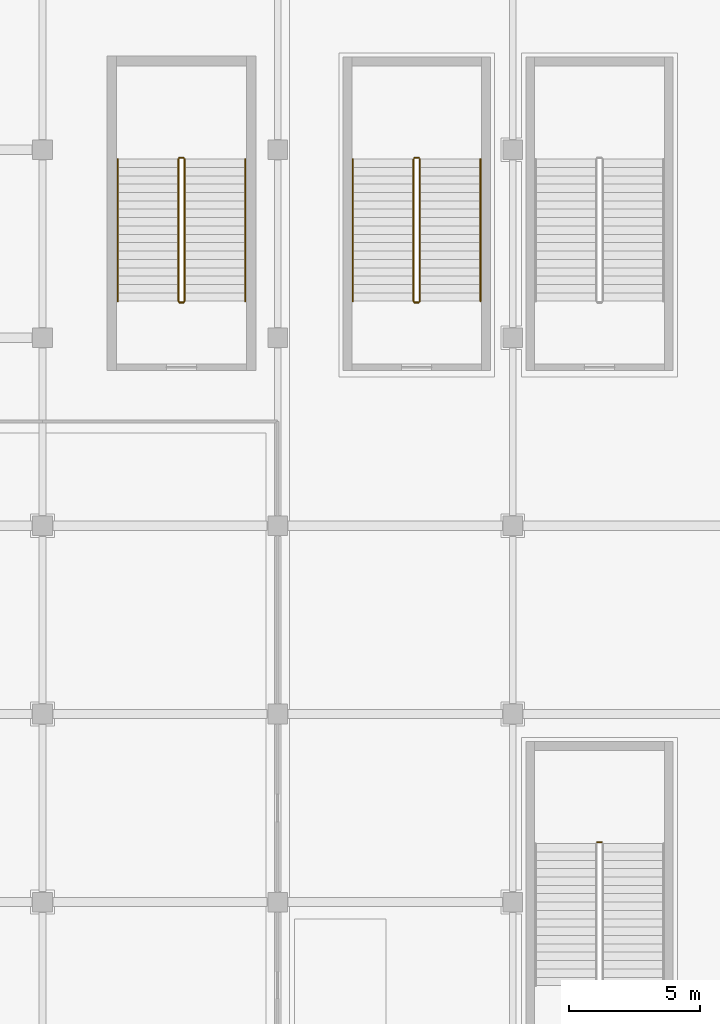
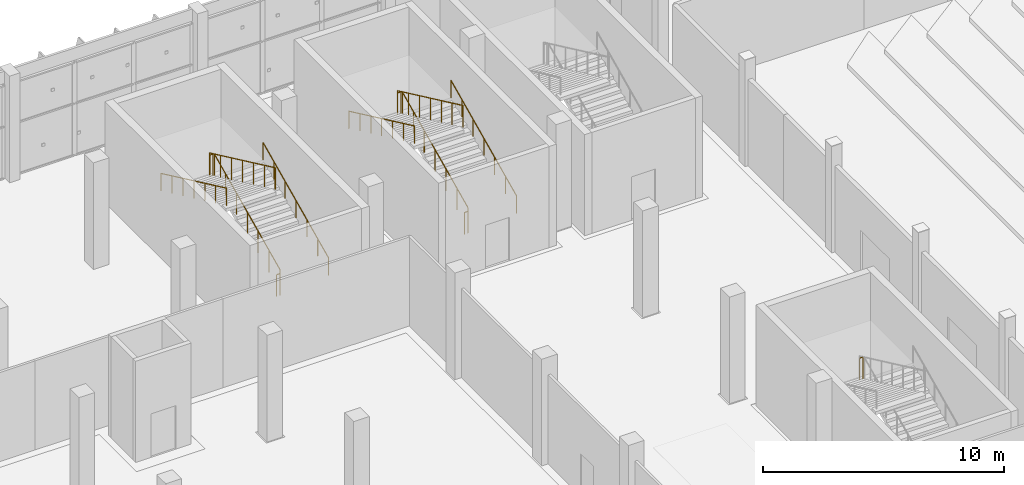
# One storey, part 184 of 189: 13 railings.
"""IFC4 building model written with IfcOpenShell, lengths in metres."""

import ifcopenshell
import ifcopenshell.guid

model = None  # the IFC model being written
_history = None  # IfcOwnerHistory: only IFC2X3 demands one
_inside = {}  # id of a spatial element -> (the spatial element, [elements in it])
_under = {}  # id of a project, library or spatial element -> (it, [spatial elements below it])
_declared = {}  # id of a project -> (the project, [libraries it declares])
_typed = {}  # id of a type object -> (the type object, [elements of that type])
_made_of = {}  # id of a material, layer set ... -> (it, [elements and type objects made of it])


def new_model(schema):
    """Start an empty IFC model of exactly this schema.

    Asked for "IFC4X3", IfcOpenShell would pick the latest addendum, in which some entities
    have other attributes; the version numbers below select the first issue.
    IFC2X3 requires an IfcOwnerHistory on every rooted entity: one is made here for all.
    """
    global model, _history
    if schema == "IFC4X3":
        model = ifcopenshell.file(schema_version=(4, 3, 0, 0))
    else:
        model = ifcopenshell.file(schema=schema)
    _inside.clear()
    _under.clear()
    _declared.clear()
    _typed.clear()
    _made_of.clear()
    _history = None
    if model.schema == "IFC2X3":
        org = make("IfcOrganization", Name="unknown")
        user = make(
            "IfcPersonAndOrganization",
            ThePerson=make("IfcPerson", FamilyName="unknown"),
            TheOrganization=org,
        )
        app = make(
            "IfcApplication",
            ApplicationDeveloper=org,
            Version="unknown",
            ApplicationFullName="unknown",
            ApplicationIdentifier="unknown",
        )
        _history = make(
            "IfcOwnerHistory",
            OwningUser=user,
            OwningApplication=app,
            ChangeAction="ADDED",
            CreationDate=0,
        )
    return model


def make(cls, **values):
    """One entity of the class cls with the attributes given. An attribute that is None is left unset."""
    return model.create_entity(
        cls, **{name: value for name, value in values.items() if value is not None}
    )


def rooted(cls, **values):
    """An entity with a GlobalId (a new one), such as an element, a storey or a relation."""
    return make(cls, GlobalId=ifcopenshell.guid.new(), OwnerHistory=_history, **values)


def si_unit(unit_type, name, prefix=None):
    """IfcSIUnit, for example si_unit("LENGTHUNIT", "METRE", prefix="MILLI")."""
    return make("IfcSIUnit", UnitType=unit_type, Prefix=prefix, Name=name)


def assignment(units):
    """IfcUnitAssignment: the units of a project."""
    return None if units is None else make("IfcUnitAssignment", Units=units)


def point(xyz):
    """IfcCartesianPoint."""
    return None if xyz is None else make("IfcCartesianPoint", Coordinates=xyz)


def direction(xyz):
    """IfcDirection."""
    return None if xyz is None else make("IfcDirection", DirectionRatios=xyz)


def frame(location, z_axis=None, x_axis=None):
    """IfcAxis2Placement3D, a coordinate frame: its origin and axes. An axis left out is left unset."""
    return make(
        "IfcAxis2Placement3D",
        Location=point(location),
        Axis=direction(z_axis),
        RefDirection=direction(x_axis),
    )


def frame_2d(location, x_axis=None):
    """IfcAxis2Placement2D, a coordinate frame in the plane: its origin and x axis."""
    return make(
        "IfcAxis2Placement2D", Location=point(location), RefDirection=direction(x_axis)
    )


def origin():
    """The frame at (0, 0, 0) with its axes left unset."""
    return frame((0.0, 0.0, 0.0))


def origin_2d():
    """The frame at (0, 0) in the plane with its x axis left unset."""
    return frame_2d((0.0, 0.0))


def place(relative_to, where):
    """IfcLocalPlacement: puts the frame where relative to a parent placement (None: the world)."""
    return make(
        "IfcLocalPlacement", PlacementRelTo=relative_to, RelativePlacement=where
    )


def context(
    kind, dimensions, precision=None, world=None, true_north=None, identifier=None
):
    """IfcGeometricRepresentationContext, for example the 3D "Model" context."""
    return make(
        "IfcGeometricRepresentationContext",
        ContextIdentifier=identifier,
        ContextType=kind,
        CoordinateSpaceDimension=dimensions,
        Precision=precision,
        WorldCoordinateSystem=world,
        TrueNorth=true_north,
    )


def subcontext(parent, identifier, kind, view, scale=None):
    """IfcGeometricRepresentationSubContext, for example "Body" below "Model"."""
    return make(
        "IfcGeometricRepresentationSubContext",
        ContextIdentifier=identifier,
        ContextType=kind,
        ParentContext=parent,
        TargetScale=scale,
        TargetView=view,
    )


def project(units=None, contexts=None):
    """IfcProject with its units and contexts."""
    return rooted(
        "IfcProject",
        Name="project",
        RepresentationContexts=contexts,
        UnitsInContext=assignment(units),
    )


def spatial(cls, under=None, at=None, **own):
    """A site, building, storey or space (cls), placed at a placement, below another one or the project."""
    s = rooted(cls, ObjectPlacement=at, **own)
    if under is not None:
        _under.setdefault(under.id(), (under, []))[1].append(s)
    return s


def profile(cls, at=None, kind="AREA", **sizes):
    """A parametric profile (cls). Its sizes go by their IFC names, for example OverallWidth=200.0."""
    return make(cls, ProfileType=kind, Position=at, **sizes)


def circle(**sizes):
    """IfcCircleProfileDef."""
    return profile("IfcCircleProfileDef", **sizes)


def extrude(swept, where, along, depth):
    """IfcExtrudedAreaSolid: the profile swept, set in the frame where, extruded along a direction by depth."""
    return make(
        "IfcExtrudedAreaSolid",
        SweptArea=swept,
        Position=where,
        ExtrudedDirection=direction(along),
        Depth=depth,
    )


def shape(context_of_items, identifier, shape_type, items):
    """IfcShapeRepresentation: the items that make up one representation, for example the "Body"."""
    return make(
        "IfcShapeRepresentation",
        ContextOfItems=context_of_items,
        RepresentationIdentifier=identifier,
        RepresentationType=shape_type,
        Items=items,
    )


def material(Name=None, Category=None):
    """IfcMaterial."""
    return make("IfcMaterial", Name=Name, Category=Category)


def layer(
    of_material, thickness, ventilated=None, Name=None, Category=None, Priority=None
):
    """IfcMaterialLayer: one layer of a wall or slab, of a material (None: an air gap)."""
    return make(
        "IfcMaterialLayer",
        Material=of_material,
        LayerThickness=thickness,
        IsVentilated=ventilated,
        Name=Name,
        Category=Category,
        Priority=Priority,
    )


def layer_set(layers, Name=None):
    """IfcMaterialLayerSet."""
    return make("IfcMaterialLayerSet", MaterialLayers=layers, LayerSetName=Name)


def made_of(thing, what):
    """Note that an element or type object is made of a material, layer set ...; save() writes the relation."""
    if what is not None:
        _made_of.setdefault(what.id(), (what, []))[1].append(thing)
    return thing


def type_object(cls, material=None, **own):
    """A type object (cls), such as IfcWallType, which elements share."""
    return made_of(rooted(cls, **own), material)


def element(
    cls,
    number,
    at=None,
    inside=None,
    cuts=None,
    type_object=None,
    material=None,
    context=None,
    identifier="Body",
    shape_type=None,
    held_by="IfcProductDefinitionShape",
    body=None,
    shapes=None,
    **own,
):
    """One element of the class cls, such as IfcWall. Its Tag is "e" and its number.

    at: its placement. inside: the storey or other place that contains it. cuts: it is an
    opening in that element (IfcRelVoidsElement). A single representation is given by context,
    identifier, shape_type and body (its items); several are given by shapes. held_by: the class
    of the entity that holds the representations. save() writes the other relations.
    """
    e = rooted(cls, Tag="e%d" % number, ObjectPlacement=at, **own)
    if body is not None:
        shapes = [shape(context, identifier, shape_type, body)]
    if shapes is not None:
        e.Representation = make(held_by, Representations=shapes)
    if inside is not None:
        _inside.setdefault(inside.id(), (inside, []))[1].append(e)
    if cuts is not None:
        rooted(
            "IfcRelVoidsElement", RelatingBuildingElement=cuts, RelatedOpeningElement=e
        )
    if type_object is not None:
        _typed.setdefault(type_object.id(), (type_object, []))[1].append(e)
    return made_of(e, material)


def aggregate(whole, parts):
    """IfcRelAggregates: a whole, such as a stair, and the parts it consists of."""
    return rooted("IfcRelAggregates", RelatingObject=whole, RelatedObjects=parts)


def save(model, path):
    """Write the relations noted so far, then the file.

    IfcRelAggregates (storeys below a building ...), IfcRelContainedInSpatialStructure (elements
    in a storey), IfcRelDefinesByType, IfcRelAssociatesMaterial and IfcRelDeclares: one each for
    every whole, place, type object, material and project.
    """
    for whole, parts in _under.values():
        aggregate(whole, parts)
    for where, things in _inside.values():
        rooted(
            "IfcRelContainedInSpatialStructure",
            RelatedElements=things,
            RelatingStructure=where,
        )
    for kind, things in _typed.values():
        rooted("IfcRelDefinesByType", RelatedObjects=things, RelatingType=kind)
    for what, things in _made_of.values():
        rooted("IfcRelAssociatesMaterial", RelatedObjects=things, RelatingMaterial=what)
    for by, libraries in _declared.values():
        rooted("IfcRelDeclares", RelatingContext=by, RelatedDefinitions=libraries)
    model.write(path)


model = new_model("IFC4")

# Units and contexts
model_context = context("Model", 3, precision=1e-05, world=origin(), true_north=direction((0.0, 1.0)))
body_context = subcontext(model_context, "Body", "Model", "MODEL_VIEW")
ifc_project = project(units=[si_unit("LENGTHUNIT", "METRE"), si_unit("AREAUNIT", "SQUARE_METRE"), si_unit("VOLUMEUNIT", "CUBIC_METRE"), si_unit("PLANEANGLEUNIT", "RADIAN"), si_unit("MASSUNIT", "GRAM", prefix="KILO")], contexts=[model_context])

# Site, building, storey
site_placement = place(None, origin())
site = spatial("IfcSite", under=ifc_project, at=site_placement, CompositionType="ELEMENT")
building_placement = place(site_placement, origin())
building = spatial("IfcBuilding", under=site, at=building_placement, Name="Celestram Park Convention Centre", CompositionType="ELEMENT")
storey_placement = place(building_placement, frame((0.0, 0.0, 5.39990234375)))
storey = spatial("IfcBuildingStorey", under=building, at=storey_placement, Name="L01", CompositionType="ELEMENT", Elevation=5.39990234375)

# Railings
ifc_material_1 = material(Name="Stainless Steel AISI 316L & Laminated Glass", Category="steel")
ifc_layer_1 = layer(ifc_material_1, 0.06005859375)
ifc_layer_set_1 = layer_set([ifc_layer_1], Name="Stainless Steel AISI 316L & Laminated Glass")
railing_type_1 = type_object("IfcRailingType", Name="ARC-RL-GRD1120", PredefinedType="GUARDRAIL", material=ifc_layer_set_1)
railing_1_placement = place(storey_placement, frame((131.43603515625, 152.60009765625, 0.150146484375)))
element("IfcRailing", 1, at=railing_1_placement, inside=storey, type_object=railing_type_1, Name="L01 ST-05 stair guard 1", PredefinedType="GUARDRAIL", context=body_context, shape_type="SweptSolid", body=[
    extrude(circle(Radius=0.02392578125, at=origin_2d()), frame((0.0, 0.0, 1.09619140625), z_axis=(0.0, 0.90545405566, 0.424444287379), x_axis=(-1.0, 0.0, 0.0)), (0.0, 0.0, 1.0), 6.008056640625),
    extrude(circle(Radius=0.02099609375, at=origin_2d()), origin(), (0.0, 0.0, 1.0), 1.072021484375),
    extrude(circle(Radius=0.02099609375, at=origin_2d()), frame((0.0, 0.90673828125, 0.425048828125)), (0.0, 0.0, 1.0), 1.072021484375),
    extrude(circle(Radius=0.02099609375, at=origin_2d()), frame((0.0, 1.813232421875, 0.85009765625)), (0.0, 0.0, 1.0), 1.072021484375),
    extrude(circle(Radius=0.02099609375, at=origin_2d()), frame((0.0, 2.719970703125, 1.27490234375)), (0.0, 0.0, 1.0), 1.072021484375),
    extrude(circle(Radius=0.02099609375, at=origin_2d()), frame((0.0, 3.626708984375, 1.699951171875)), (0.0, 0.0, 1.0), 1.072021484375),
    extrude(circle(Radius=0.02099609375, at=origin_2d()), frame((0.0, 4.533203125, 2.125)), (0.0, 0.0, 1.0), 1.072021484375),
    extrude(circle(Radius=0.02099609375, at=origin_2d()), frame((0.0, 5.43994140625, 2.550048828125)), (0.0, 0.0, 1.0), 1.072021484375),
])
railing_2_placement = place(storey_placement, frame((131.39990234375, 158.090087890625, 2.7001953125)))
element("IfcRailing", 2, at=railing_2_placement, inside=storey, type_object=railing_type_1, Name="L01 ST-05 stair guard 2", PredefinedType="GUARDRAIL", context=body_context, shape_type="SweptSolid", body=[
    extrude(circle(Radius=0.02392578125, at=origin_2d()), frame((0.0, 0.0, 1.09619140625), z_axis=(-1.0, 0.0, 0.0), x_axis=(0.0, -1.0, 0.0)), (0.0, 0.0, 1.0), 0.159912109375),
    extrude(circle(Radius=0.02099609375, at=origin_2d()), origin(), (0.0, 0.0, 1.0), 1.072021484375),
    extrude(circle(Radius=0.02099609375, at=origin_2d()), frame((-0.159912109375, 0.0, 0.0)), (0.0, 0.0, 1.0), 1.072021484375),
])
railing_3_placement = place(storey_placement, frame((131.2041015625, 158.0400390625, 2.85009765625)))
element("IfcRailing", 3, at=railing_3_placement, inside=storey, type_object=railing_type_1, Name="L01 ST-05 stair guard 3", PredefinedType="GUARDRAIL", context=body_context, shape_type="SweptSolid", body=[
    extrude(circle(Radius=0.02392578125, at=origin_2d()), frame((0.0, 0.0, 1.09619140625), z_axis=(0.0, -0.90545405566, 0.424444287379), x_axis=(1.0, 0.0, 0.0)), (0.0, 0.0, 1.0), 6.008056640625),
    extrude(circle(Radius=0.02099609375, at=origin_2d()), origin(), (0.0, 0.0, 1.0), 1.072021484375),
    extrude(circle(Radius=0.02099609375, at=origin_2d()), frame((0.0, -0.90673828125, 0.425048828125)), (0.0, 0.0, 1.0), 1.072021484375),
    extrude(circle(Radius=0.02099609375, at=origin_2d()), frame((0.0, -1.813232421875, 0.85009765625)), (0.0, 0.0, 1.0), 1.072021484375),
    extrude(circle(Radius=0.02099609375, at=origin_2d()), frame((0.0, -2.719970703125, 1.27490234375)), (0.0, 0.0, 1.0), 1.072021484375),
    extrude(circle(Radius=0.02099609375, at=origin_2d()), frame((0.0, -3.626708984375, 1.699951171875)), (0.0, 0.0, 1.0), 1.072021484375),
    extrude(circle(Radius=0.02099609375, at=origin_2d()), frame((0.0, -4.533203125, 2.125)), (0.0, 0.0, 1.0), 1.072021484375),
    extrude(circle(Radius=0.02099609375, at=origin_2d()), frame((0.0, -5.43994140625, 2.550048828125)), (0.0, 0.0, 1.0), 1.072021484375),
])
for number, where, name in (
    (4, (131.39990234375, 152.550048828125, 0.0), "L01 ST-05 stair guard 4"),
    (5, (147.39990234375, 131.889892578125, 2.7001953125), "L01 ST-10 stair guard 2"),
):
    element("IfcRailing", number, at=place(storey_placement, frame(where)), inside=storey, type_object=railing_type_1, Name=name, PredefinedType="GUARDRAIL", context=body_context, shape_type="SweptSolid", body=[
        extrude(circle(Radius=0.02392578125, at=origin_2d()), frame((0.0, 0.0, 1.09619140625), z_axis=(-1.0, 0.0, 0.0), x_axis=(0.0, -1.0, 0.0)), (0.0, 0.0, 1.0), 0.159912109375),
        extrude(circle(Radius=0.02099609375, at=origin_2d()), origin(), (0.0, 0.0, 1.0), 1.072021484375),
        extrude(circle(Radius=0.02099609375, at=origin_2d()), frame((-0.159912109375, 0.0, 0.0)), (0.0, 0.0, 1.0), 1.072021484375),
    ])
railing_4_placement = place(storey_placement, frame((140.43603515625, 152.60009765625, 0.150146484375)))
element("IfcRailing", 6, at=railing_4_placement, inside=storey, type_object=railing_type_1, Name="L01 ST-22 stair guard 1", PredefinedType="GUARDRAIL", context=body_context, shape_type="SweptSolid", body=[
    extrude(circle(Radius=0.02392578125, at=origin_2d()), frame((0.0, 0.0, 1.09619140625), z_axis=(0.0, 0.90545405566, 0.424444287379), x_axis=(-1.0, 0.0, 0.0)), (0.0, 0.0, 1.0), 6.008056640625),
    extrude(circle(Radius=0.02099609375, at=origin_2d()), origin(), (0.0, 0.0, 1.0), 1.072021484375),
    extrude(circle(Radius=0.02099609375, at=origin_2d()), frame((0.0, 0.90673828125, 0.425048828125)), (0.0, 0.0, 1.0), 1.072021484375),
    extrude(circle(Radius=0.02099609375, at=origin_2d()), frame((0.0, 1.813232421875, 0.85009765625)), (0.0, 0.0, 1.0), 1.072021484375),
    extrude(circle(Radius=0.02099609375, at=origin_2d()), frame((0.0, 2.719970703125, 1.27490234375)), (0.0, 0.0, 1.0), 1.072021484375),
    extrude(circle(Radius=0.02099609375, at=origin_2d()), frame((0.0, 3.626708984375, 1.699951171875)), (0.0, 0.0, 1.0), 1.072021484375),
    extrude(circle(Radius=0.02099609375, at=origin_2d()), frame((0.0, 4.533203125, 2.125)), (0.0, 0.0, 1.0), 1.072021484375),
    extrude(circle(Radius=0.02099609375, at=origin_2d()), frame((0.0, 5.43994140625, 2.550048828125)), (0.0, 0.0, 1.0), 1.072021484375),
])
railing_5_placement = place(storey_placement, frame((140.39990234375, 158.090087890625, 2.7001953125)))
element("IfcRailing", 7, at=railing_5_placement, inside=storey, type_object=railing_type_1, Name="L01 ST-22 stair guard 2", PredefinedType="GUARDRAIL", context=body_context, shape_type="SweptSolid", body=[
    extrude(circle(Radius=0.02392578125, at=origin_2d()), frame((0.0, 0.0, 1.09619140625), z_axis=(-1.0, 0.0, 0.0), x_axis=(0.0, -1.0, 0.0)), (0.0, 0.0, 1.0), 0.159912109375),
    extrude(circle(Radius=0.02099609375, at=origin_2d()), origin(), (0.0, 0.0, 1.0), 1.072021484375),
    extrude(circle(Radius=0.02099609375, at=origin_2d()), frame((-0.159912109375, 0.0, 0.0)), (0.0, 0.0, 1.0), 1.072021484375),
])
railing_6_placement = place(storey_placement, frame((140.2041015625, 158.0400390625, 2.85009765625)))
element("IfcRailing", 8, at=railing_6_placement, inside=storey, type_object=railing_type_1, Name="L01 ST-22 stair guard 3", PredefinedType="GUARDRAIL", context=body_context, shape_type="SweptSolid", body=[
    extrude(circle(Radius=0.02392578125, at=origin_2d()), frame((0.0, 0.0, 1.09619140625), z_axis=(0.0, -0.90545405566, 0.424444287379), x_axis=(1.0, 0.0, 0.0)), (0.0, 0.0, 1.0), 6.008056640625),
    extrude(circle(Radius=0.02099609375, at=origin_2d()), origin(), (0.0, 0.0, 1.0), 1.072021484375),
    extrude(circle(Radius=0.02099609375, at=origin_2d()), frame((0.0, -0.90673828125, 0.425048828125)), (0.0, 0.0, 1.0), 1.072021484375),
    extrude(circle(Radius=0.02099609375, at=origin_2d()), frame((0.0, -1.813232421875, 0.85009765625)), (0.0, 0.0, 1.0), 1.072021484375),
    extrude(circle(Radius=0.02099609375, at=origin_2d()), frame((0.0, -2.719970703125, 1.27490234375)), (0.0, 0.0, 1.0), 1.072021484375),
    extrude(circle(Radius=0.02099609375, at=origin_2d()), frame((0.0, -3.626708984375, 1.699951171875)), (0.0, 0.0, 1.0), 1.072021484375),
    extrude(circle(Radius=0.02099609375, at=origin_2d()), frame((0.0, -4.533203125, 2.125)), (0.0, 0.0, 1.0), 1.072021484375),
    extrude(circle(Radius=0.02099609375, at=origin_2d()), frame((0.0, -5.43994140625, 2.550048828125)), (0.0, 0.0, 1.0), 1.072021484375),
])
railing_7_placement = place(storey_placement, frame((140.39990234375, 152.550048828125, 0.0)))
element("IfcRailing", 9, at=railing_7_placement, inside=storey, type_object=railing_type_1, Name="L01 ST-22 stair guard 4", PredefinedType="GUARDRAIL", context=body_context, shape_type="SweptSolid", body=[
    extrude(circle(Radius=0.02392578125, at=origin_2d()), frame((0.0, 0.0, 1.09619140625), z_axis=(-1.0, 0.0, 0.0), x_axis=(0.0, -1.0, 0.0)), (0.0, 0.0, 1.0), 0.159912109375),
    extrude(circle(Radius=0.02099609375, at=origin_2d()), origin(), (0.0, 0.0, 1.0), 1.072021484375),
    extrude(circle(Radius=0.02099609375, at=origin_2d()), frame((-0.159912109375, 0.0, 0.0)), (0.0, 0.0, 1.0), 1.072021484375),
])
ifc_material_2 = material(Name="Brushed Stainless Steel AISI 304", Category="steel")
ifc_layer_2 = layer(ifc_material_2, 0.048095703125)
ifc_layer_set_2 = layer_set([ifc_layer_2], Name="Brushed Stainless Steel AISI 304")
railing_type_2 = type_object("IfcRailingType", Name="ARC-RL-HND915", PredefinedType="HANDRAIL", material=ifc_layer_set_2)
railing_8_placement = place(storey_placement, frame((133.763916015625, 152.60009765625, 0.150146484375)))
element("IfcRailing", 10, at=railing_8_placement, inside=storey, type_object=railing_type_2, Name="L01 ST-05 stair handrail 1", PredefinedType="HANDRAIL", context=body_context, shape_type="SweptSolid", body=[
    extrude(circle(Radius=0.02392578125, at=origin_2d()), frame((0.0, 0.0, 0.8759765625), z_axis=(0.0, 0.90545405566, 0.424444287379), x_axis=(-1.0, 0.0, 0.0)), (0.0, 0.0, 1.0), 6.008056640625),
    extrude(circle(Radius=0.02099609375, at=origin_2d()), origin(), (0.0, 0.0, 1.0), 0.851806640625),
    extrude(circle(Radius=0.02099609375, at=origin_2d()), frame((0.0, 0.90673828125, 0.425048828125)), (0.0, 0.0, 1.0), 0.851806640625),
    extrude(circle(Radius=0.02099609375, at=origin_2d()), frame((0.0, 1.813232421875, 0.85009765625)), (0.0, 0.0, 1.0), 0.851806640625),
    extrude(circle(Radius=0.02099609375, at=origin_2d()), frame((0.0, 2.719970703125, 1.27490234375)), (0.0, 0.0, 1.0), 0.851806640625),
    extrude(circle(Radius=0.02099609375, at=origin_2d()), frame((0.0, 3.626708984375, 1.699951171875)), (0.0, 0.0, 1.0), 0.851806640625),
    extrude(circle(Radius=0.02099609375, at=origin_2d()), frame((0.0, 4.533203125, 2.125)), (0.0, 0.0, 1.0), 0.851806640625),
    extrude(circle(Radius=0.02099609375, at=origin_2d()), frame((0.0, 5.43994140625, 2.550048828125)), (0.0, 0.0, 1.0), 0.851806640625),
])
railing_9_placement = place(storey_placement, frame((128.8759765625, 158.0400390625, 2.85009765625)))
element("IfcRailing", 11, at=railing_9_placement, inside=storey, type_object=railing_type_2, Name="L01 ST-05 stair handrail 2", PredefinedType="HANDRAIL", context=body_context, shape_type="SweptSolid", body=[
    extrude(circle(Radius=0.02392578125, at=origin_2d()), frame((0.0, 0.0, 0.8759765625), z_axis=(0.0, -0.90545405566, 0.424444287379), x_axis=(1.0, 0.0, 0.0)), (0.0, 0.0, 1.0), 6.008056640625),
    extrude(circle(Radius=0.02099609375, at=origin_2d()), origin(), (0.0, 0.0, 1.0), 0.851806640625),
    extrude(circle(Radius=0.02099609375, at=origin_2d()), frame((0.0, -0.90673828125, 0.425048828125)), (0.0, 0.0, 1.0), 0.851806640625),
    extrude(circle(Radius=0.02099609375, at=origin_2d()), frame((0.0, -1.813232421875, 0.85009765625)), (0.0, 0.0, 1.0), 0.851806640625),
    extrude(circle(Radius=0.02099609375, at=origin_2d()), frame((0.0, -2.719970703125, 1.27490234375)), (0.0, 0.0, 1.0), 0.851806640625),
    extrude(circle(Radius=0.02099609375, at=origin_2d()), frame((0.0, -3.626708984375, 1.699951171875)), (0.0, 0.0, 1.0), 0.851806640625),
    extrude(circle(Radius=0.02099609375, at=origin_2d()), frame((0.0, -4.533203125, 2.125)), (0.0, 0.0, 1.0), 0.851806640625),
    extrude(circle(Radius=0.02099609375, at=origin_2d()), frame((0.0, -5.43994140625, 2.550048828125)), (0.0, 0.0, 1.0), 0.851806640625),
])
railing_10_placement = place(storey_placement, frame((142.763916015625, 152.60009765625, 0.150146484375)))
element("IfcRailing", 12, at=railing_10_placement, inside=storey, type_object=railing_type_2, Name="L01 ST-22 stair handrail 1", PredefinedType="HANDRAIL", context=body_context, shape_type="SweptSolid", body=[
    extrude(circle(Radius=0.02392578125, at=origin_2d()), frame((0.0, 0.0, 0.8759765625), z_axis=(0.0, 0.90545405566, 0.424444287379), x_axis=(-1.0, 0.0, 0.0)), (0.0, 0.0, 1.0), 6.008056640625),
    extrude(circle(Radius=0.02099609375, at=origin_2d()), origin(), (0.0, 0.0, 1.0), 0.851806640625),
    extrude(circle(Radius=0.02099609375, at=origin_2d()), frame((0.0, 0.90673828125, 0.425048828125)), (0.0, 0.0, 1.0), 0.851806640625),
    extrude(circle(Radius=0.02099609375, at=origin_2d()), frame((0.0, 1.813232421875, 0.85009765625)), (0.0, 0.0, 1.0), 0.851806640625),
    extrude(circle(Radius=0.02099609375, at=origin_2d()), frame((0.0, 2.719970703125, 1.27490234375)), (0.0, 0.0, 1.0), 0.851806640625),
    extrude(circle(Radius=0.02099609375, at=origin_2d()), frame((0.0, 3.626708984375, 1.699951171875)), (0.0, 0.0, 1.0), 0.851806640625),
    extrude(circle(Radius=0.02099609375, at=origin_2d()), frame((0.0, 4.533203125, 2.125)), (0.0, 0.0, 1.0), 0.851806640625),
    extrude(circle(Radius=0.02099609375, at=origin_2d()), frame((0.0, 5.43994140625, 2.550048828125)), (0.0, 0.0, 1.0), 0.851806640625),
])
railing_11_placement = place(storey_placement, frame((137.8759765625, 158.0400390625, 2.85009765625)))
element("IfcRailing", 13, at=railing_11_placement, inside=storey, type_object=railing_type_2, Name="L01 ST-22 stair handrail 2", PredefinedType="HANDRAIL", context=body_context, shape_type="SweptSolid", body=[
    extrude(circle(Radius=0.02392578125, at=origin_2d()), frame((0.0, 0.0, 0.8759765625), z_axis=(0.0, -0.90545405566, 0.424444287379), x_axis=(1.0, 0.0, 0.0)), (0.0, 0.0, 1.0), 6.008056640625),
    extrude(circle(Radius=0.02099609375, at=origin_2d()), origin(), (0.0, 0.0, 1.0), 0.851806640625),
    extrude(circle(Radius=0.02099609375, at=origin_2d()), frame((0.0, -0.90673828125, 0.425048828125)), (0.0, 0.0, 1.0), 0.851806640625),
    extrude(circle(Radius=0.02099609375, at=origin_2d()), frame((0.0, -1.813232421875, 0.85009765625)), (0.0, 0.0, 1.0), 0.851806640625),
    extrude(circle(Radius=0.02099609375, at=origin_2d()), frame((0.0, -2.719970703125, 1.27490234375)), (0.0, 0.0, 1.0), 0.851806640625),
    extrude(circle(Radius=0.02099609375, at=origin_2d()), frame((0.0, -3.626708984375, 1.699951171875)), (0.0, 0.0, 1.0), 0.851806640625),
    extrude(circle(Radius=0.02099609375, at=origin_2d()), frame((0.0, -4.533203125, 2.125)), (0.0, 0.0, 1.0), 0.851806640625),
    extrude(circle(Radius=0.02099609375, at=origin_2d()), frame((0.0, -5.43994140625, 2.550048828125)), (0.0, 0.0, 1.0), 0.851806640625),
])

save(model, "model.ifc")
